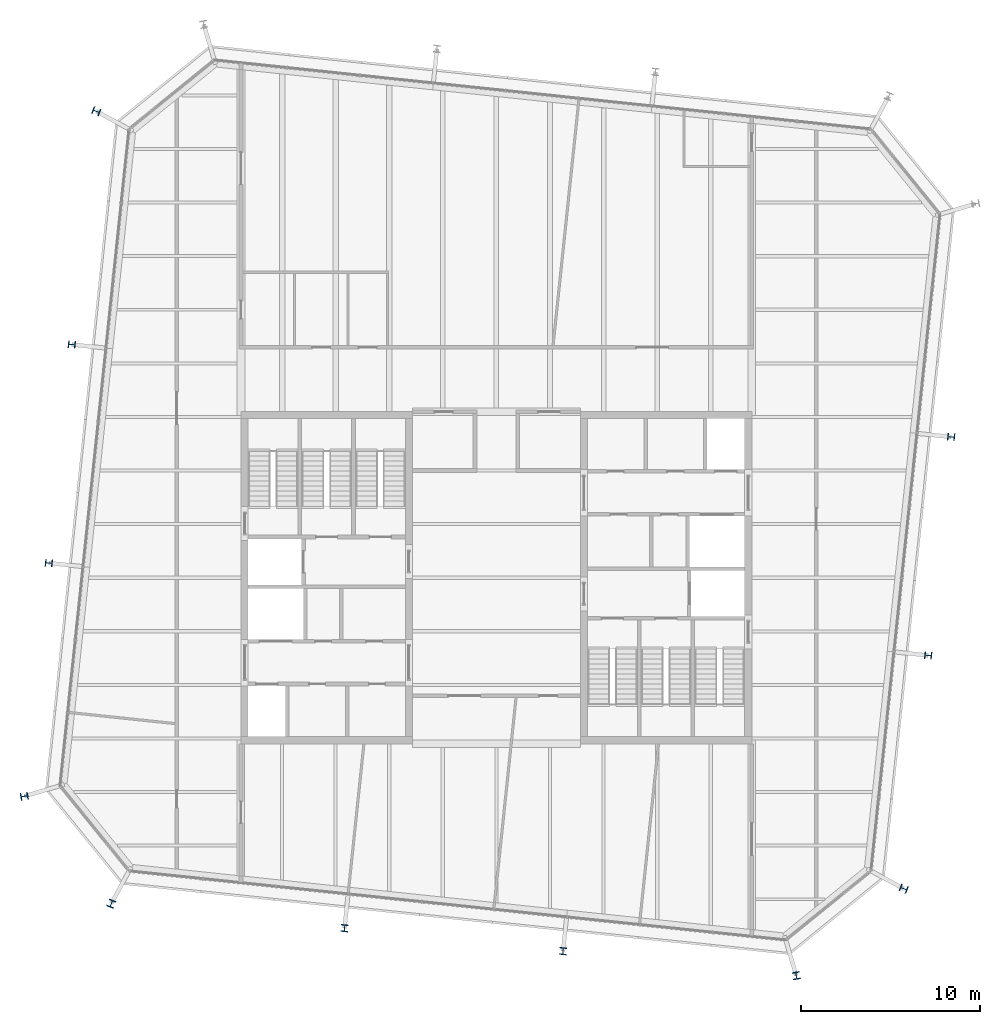
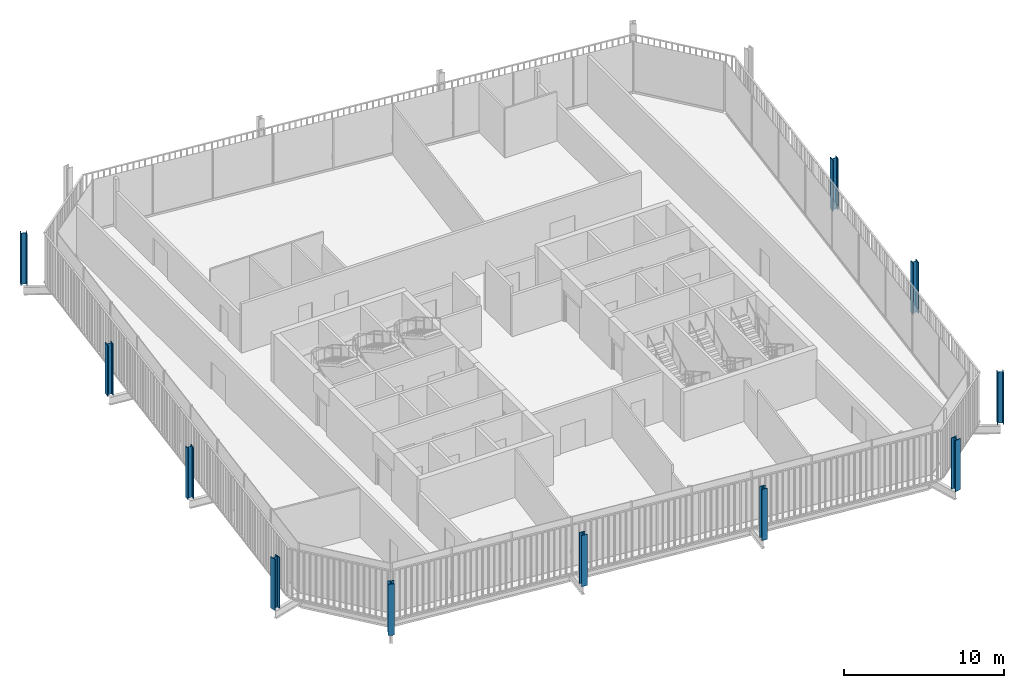
# One storey, part 1 of 20: 11 columns.
"""IFC4 building model written with IfcOpenShell, lengths in metres."""

from ifc_helpers import new_model, si_unit, direction, frame, origin, origin_2d, place, context, subcontext, project, spatial, i_section, extrude, material, material_profile, profile_set, type_object, element, save


model = new_model("IFC4")

# Units and contexts
model_context = context("Model", 3, precision=1e-05, world=origin(), true_north=direction((0.0, 1.0)))
body_context = subcontext(model_context, "Body", "Model", "MODEL_VIEW")
ifc_project = project(units=[si_unit("LENGTHUNIT", "METRE"), si_unit("AREAUNIT", "SQUARE_METRE"), si_unit("VOLUMEUNIT", "CUBIC_METRE"), si_unit("PLANEANGLEUNIT", "RADIAN"), si_unit("MASSUNIT", "GRAM", prefix="KILO")], contexts=[model_context])

# Site, building, storey
site_placement = place(None, origin())
site = spatial("IfcSite", under=ifc_project, at=site_placement, CompositionType="ELEMENT")
building_placement = place(site_placement, origin())
building = spatial("IfcBuilding", under=site, at=building_placement, Name="Millrace Tower", CompositionType="ELEMENT")
storey_placement = place(building_placement, frame((0.0, 0.0, 287.699951171875)))
storey = spatial("IfcBuildingStorey", under=building, at=storey_placement, Name="L66", CompositionType="ELEMENT", Elevation=287.699951171875)

# Columns
ifc_material_1 = material(Name="Steel ASTM A913 Grade 65", Category="steel")
ifc_material_profile_1 = material_profile(ifc_material_1, i_section(OverallWidth=0.4013671875, OverallDepth=0.398681640625, WebThickness=0.02490234375, FlangeThickness=0.03955078125, FilletRadius=0.01513671875, at=origin_2d()))
ifc_profile_set_1 = profile_set([ifc_material_profile_1], Name="Steel ASTM A913 Grade 65")
column_type_1 = type_object("IfcColumnType", Name="Exoskeleton column W14x211", PredefinedType="COLUMN", material=ifc_profile_set_1)
for number, where, z_axis, x_axis, name in (
    (1, (-8.50341796875, -19.62158203125, 0.0), (0.0, 0.0, 1.0), (0.994521897246, -0.104528445407, 0.0), "COL-E-L66-X03"),
    (2, (3.729248046875, -20.9072265625, 0.0), (0.0, 0.0, 1.0), (0.994521897246, -0.104528445407, 0.0), "COL-E-L66-X04"),
    (3, (24.171630859375, -4.353271484375, 0.0), (0.0, 0.0, 1.0), (0.104528445407, 0.994521897246, 0.0), "COL-E-L66-X07"),
    (4, (25.457275390625, 7.879150390625, 0.0), (0.0, 0.0, 1.0), (0.104528445407, 0.994521897246, 0.0), "COL-E-L66-X08"),
    (5, (-23.771484375, 13.053466796875, 0.0), (0.0, 0.0, 1.0), (-0.104528445407, -0.994521897246, 0.0), "COL-E-L66-X15"),
    (6, (-25.057373046875, 0.82080078125, 0.0), (0.0, 0.0, 1.0), (-0.104528445407, -0.994521897246, 0.0), "COL-E-L66-X16"),
):
    element("IfcColumn", number, at=place(storey_placement, frame(where, z_axis=z_axis, x_axis=x_axis)), inside=storey, type_object=column_type_1, Name=name, PredefinedType="COLUMN", context=body_context, shape_type="SweptSolid", body=[
        extrude(i_section(OverallWidth=0.4013671875, OverallDepth=0.398681640625, WebThickness=0.02490234375, FlangeThickness=0.03955078125, FilletRadius=0.01513671875, at=origin_2d()), origin(), (0.0, 0.0, 1.0), 3.900146484375),
    ])
ifc_material_2 = material(Name="Steel ASTM A913 Grade 65", Category="steel")
ifc_material_profile_2 = material_profile(ifc_material_2, i_section(OverallWidth=0.406494140625, OverallDepth=0.41650390625, WebThickness=0.030029296875, FlangeThickness=0.048095703125, FilletRadius=0.01513671875, at=origin_2d()))
ifc_profile_set_2 = profile_set([ifc_material_profile_2], Name="Steel ASTM A913 Grade 65")
column_type_2 = type_object("IfcColumnType", Name="Exoskeleton column W14x257", PredefinedType="COLUMN", material=ifc_profile_set_2)
for number, where, z_axis, x_axis, name in (
    (7, (-26.429443359375, -12.23583984375, 0.0), (0.0, 0.0, 1.0), (0.18038747256, -0.983595628164, 0.0), "COL-E-L66-X01"),
    (8, (-21.559814453125, -18.249267578125, 0.0), (0.0, 0.0, 1.0), (0.92459700658, -0.380946683176, 0.0), "COL-E-L66-X02"),
    (9, (16.78564453125, -22.279541015625, 0.0), (0.0, 0.0, 1.0), (0.983595628164, 0.18038747256, 0.0), "COL-E-L66-X05"),
    (10, (22.79931640625, -17.409912109375, 0.0), (0.0, 0.0, 1.0), (0.380946683176, 0.92459700658, 0.0), "COL-E-L66-X06"),
    (11, (-22.399169921875, 26.10986328125, 0.0), (0.0, 0.0, 1.0), (-0.380946683176, -0.92459700658, 0.0), "COL-E-L66-X14"),
):
    element("IfcColumn", number, at=place(storey_placement, frame(where, z_axis=z_axis, x_axis=x_axis)), inside=storey, type_object=column_type_2, Name=name, PredefinedType="COLUMN", context=body_context, shape_type="SweptSolid", body=[
        extrude(i_section(OverallWidth=0.406494140625, OverallDepth=0.41650390625, WebThickness=0.030029296875, FlangeThickness=0.048095703125, FilletRadius=0.01513671875, at=origin_2d()), origin(), (0.0, 0.0, 1.0), 3.900146484375),
    ])

save(model, "model.ifc")
